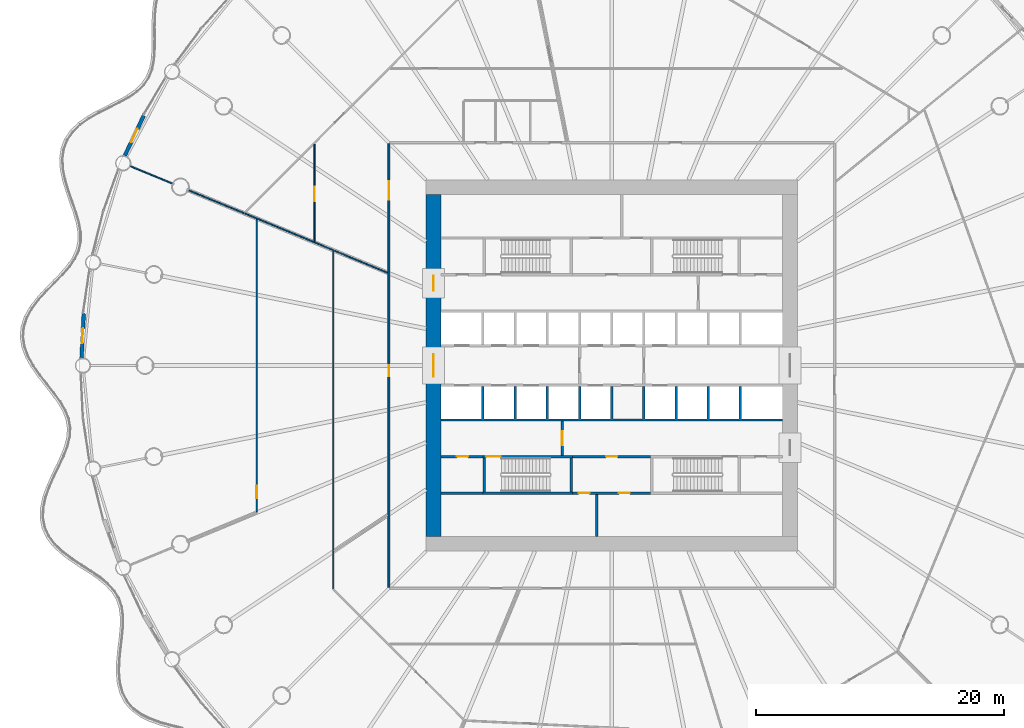
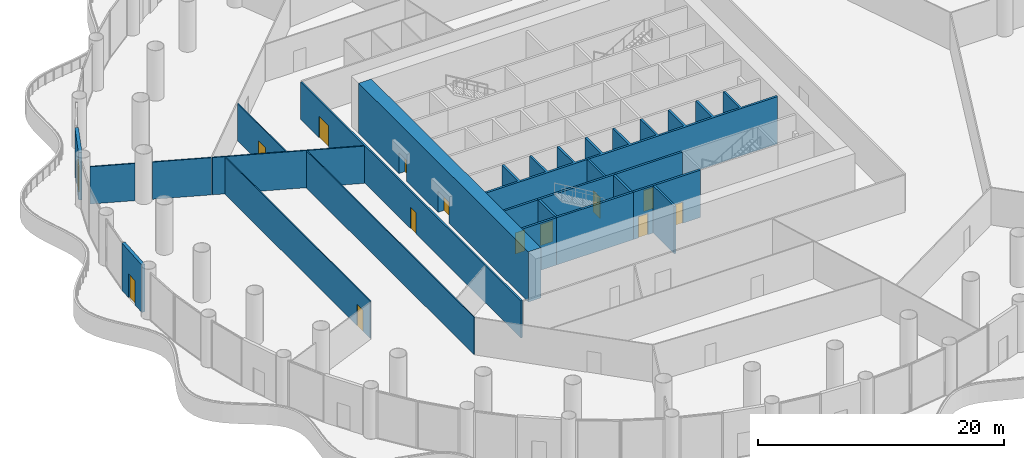
# One storey, part 23 of 35: 21 walls, 14 doors, 14 openings.
"""IFC4 building model written with IfcOpenShell, lengths in metres."""

from ifc_helpers import new_model, si_unit, direction, frame, frame_2d, origin, place, context, subcontext, project, spatial, polyline, rectangle, outline, extrude, material, layer, layer_set, type_object, element, fill, save


model = new_model("IFC4")

# Units and contexts
model_context = context("Model", 3, precision=1e-05, world=origin(), true_north=direction((0.0, 1.0)))
body_context = subcontext(model_context, "Body", "Model", "MODEL_VIEW")
ifc_project = project(units=[si_unit("LENGTHUNIT", "METRE"), si_unit("AREAUNIT", "SQUARE_METRE"), si_unit("VOLUMEUNIT", "CUBIC_METRE"), si_unit("PLANEANGLEUNIT", "RADIAN"), si_unit("MASSUNIT", "GRAM", prefix="KILO")], contexts=[model_context])

# Site, building, storey
site_placement = place(None, origin())
site = spatial("IfcSite", under=ifc_project, at=site_placement, CompositionType="ELEMENT")
building_placement = place(site_placement, origin())
building = spatial("IfcBuilding", under=site, at=building_placement, Name="Corvane Civic Tower", CompositionType="ELEMENT")
storey_placement = place(building_placement, frame((0.0, 0.0, 27.0)))
storey = spatial("IfcBuildingStorey", under=building, at=storey_placement, Name="L05", CompositionType="ELEMENT", Elevation=27.0)

# Wall, openings, doors
ifc_material_1 = material(Name="Concrete C80/95", Category="concrete")
ifc_layer_1 = layer(ifc_material_1, 1.199951171875)
ifc_layer_set_1 = layer_set([ifc_layer_1], Name="Concrete C80/95")
wall_type_1 = type_object("IfcWallType", Name="CORE WALL 1200 C80/95", PredefinedType="SHEAR", material=ifc_layer_set_1)
wall_1_placement = place(storey_placement, frame((-14.39990234375, -13.800048828125, 0.0), z_axis=(0.0, 0.0, 1.0), x_axis=(0.0, 1.0, 0.0)))
wall_1 = element("IfcWall", 1, at=wall_1_placement, inside=storey, type_object=wall_type_1, Name="W-L05-core-W", PredefinedType="SHEAR", context=body_context, shape_type="SweptSolid", body=[
    extrude(rectangle(XDim=27.60009765625, YDim=1.199951171875, at=frame_2d((13.800048828125, 0.0))), origin(), (0.0, 0.0, 1.0), 5.0),
])
opening_1_placement = place(wall_1_placement, frame((12.89990234375, 0.0, 0.0)))
opening_1 = element("IfcOpeningElement", 2, at=opening_1_placement, cuts=wall_1, Name="Opening L05.C20", PredefinedType="OPENING", context=body_context, shape_type="SweptSolid", body=[
    extrude(rectangle(XDim=1.800048828125, YDim=2.10009765625, at=frame_2d((0.89990234375, 1.050048828125))), frame((0.0, 0.60986328125, 0.0), z_axis=(0.0, -1.0, 0.0), x_axis=(1.0, 0.0, 0.0)), (0.0, 0.0, 1.0), 1.219970703125),
])
opening_2_placement = place(wall_1_placement, frame((19.85009765625, 0.0, 0.0)))
opening_2 = element("IfcOpeningElement", 3, at=opening_2_placement, cuts=wall_1, Name="Opening L05.C22", PredefinedType="OPENING", context=body_context, shape_type="SweptSolid", body=[
    extrude(rectangle(XDim=1.199951171875, YDim=2.10009765625, at=frame_2d((0.60009765625, 1.050048828125))), frame((0.0, 0.60986328125, 0.0), z_axis=(0.0, -1.0, 0.0), x_axis=(1.0, 0.0, 0.0)), (0.0, 0.0, 1.0), 1.219970703125),
])
ifc_material_2 = material(Name="Steel fire door leaf", Category="steel")
door_type_1 = type_object("IfcDoorType", Name="CR-DOOR-CORE-1800", OperationType="DOUBLE_DOOR_SINGLE_SWING", PredefinedType="DOOR", material=ifc_material_2)
door_1_placement = place(opening_1_placement, origin())
door_1 = element("IfcDoor", 4, at=door_1_placement, inside=storey, type_object=door_type_1, Name="L05 door", OperationType="DOUBLE_DOOR_SINGLE_SWING", OverallHeight=2.10009765625, OverallWidth=1.800048828125, PredefinedType="DOOR", context=body_context, shape_type="SweptSolid", body=[
    extrude(rectangle(XDim=1.800048828125, YDim=2.10009765625, at=frame_2d((0.89990234375, 1.050048828125))), frame((0.0, 0.02490234375, 0.0), z_axis=(0.0, -1.0, 0.0), x_axis=(1.0, 0.0, 0.0)), (0.0, 0.0, 1.0), 0.050048828125),
])
fill(opening_1, door_1)
door_2_placement = place(opening_2_placement, origin())
door_2 = element("IfcDoor", 5, at=door_2_placement, inside=storey, type_object=door_type_1, Name="L05 door", OperationType="DOUBLE_DOOR_SINGLE_SWING", OverallHeight=2.10009765625, OverallWidth=1.199951171875, PredefinedType="DOOR", context=body_context, shape_type="SweptSolid", body=[
    extrude(rectangle(XDim=1.199951171875, YDim=2.10009765625, at=frame_2d((0.60009765625, 1.050048828125))), frame((0.0, 0.02490234375, 0.0), z_axis=(0.0, -1.0, 0.0), x_axis=(1.0, 0.0, 0.0)), (0.0, 0.0, 1.0), 0.050048828125),
])
fill(opening_2, door_2)

ifc_material_3 = material(Name="Concrete C30/37", Category="concrete")
ifc_layer_2 = layer(ifc_material_3, 0.199951171875)
ifc_layer_set_2 = layer_set([ifc_layer_2], Name="Concrete C30/37")
wall_type_2 = type_object("IfcWallType", Name="CR-WALL-200", PredefinedType="PARTITIONING", material=ifc_layer_set_2)
wall_2_placement = place(storey_placement, frame((-3.14990234375, -10.300048828125, 0.0), z_axis=(0.0, 0.0, 1.0), x_axis=(1.0, 0.0, 0.0)))
wall_2 = element("IfcWall", 6, at=wall_2_placement, inside=storey, type_object=wall_type_2, Name="L05 partition wall", PredefinedType="PARTITIONING", context=body_context, shape_type="SweptSolid", body=[
    extrude(rectangle(XDim=6.2998046875, YDim=0.199951171875, at=frame_2d((3.14990234375, 0.0))), origin(), (0.0, 0.0, 1.0), 4.699951171875),
])
opening_3_placement = place(wall_2_placement, frame((0.47509765625, 0.0, 0.0)))
opening_3 = element("IfcOpeningElement", 7, at=opening_3_placement, cuts=wall_2, Name="Opening L05.C06", PredefinedType="OPENING", context=body_context, shape_type="SweptSolid", body=[
    extrude(rectangle(XDim=0.89990234375, YDim=2.10009765625, at=frame_2d((0.449951171875, 1.050048828125))), frame((0.0, 0.10986328125, 0.0), z_axis=(0.0, -1.0, 0.0), x_axis=(1.0, 0.0, 0.0)), (0.0, 0.0, 1.0), 0.219970703125),
])
opening_4_placement = place(wall_2_placement, frame((3.72509765625, 0.0, 0.0)))
opening_4 = element("IfcOpeningElement", 8, at=opening_4_placement, cuts=wall_2, Name="Opening L05.C07", PredefinedType="OPENING", context=body_context, shape_type="SweptSolid", body=[
    extrude(rectangle(XDim=0.89990234375, YDim=2.10009765625, at=frame_2d((0.449951171875, 1.050048828125))), frame((0.0, 0.10986328125, 0.0), z_axis=(0.0, -1.0, 0.0), x_axis=(1.0, 0.0, 0.0)), (0.0, 0.0, 1.0), 0.219970703125),
])
ifc_material_4 = material(Name="Steel fire door leaf", Category="steel")
door_type_2 = type_object("IfcDoorType", Name="CR-DOOR-900", OperationType="SINGLE_SWING_LEFT", PredefinedType="DOOR", material=ifc_material_4)
door_3_placement = place(opening_3_placement, origin())
door_3 = element("IfcDoor", 9, at=door_3_placement, inside=storey, type_object=door_type_2, Name="L05 door", OperationType="SINGLE_SWING_LEFT", OverallHeight=2.10009765625, OverallWidth=0.89990234375, PredefinedType="DOOR", context=body_context, shape_type="SweptSolid", body=[
    extrude(rectangle(XDim=0.89990234375, YDim=2.10009765625, at=frame_2d((0.449951171875, 1.050048828125))), frame((0.0, 0.02490234375, 0.0), z_axis=(0.0, -1.0, 0.0), x_axis=(1.0, 0.0, 0.0)), (0.0, 0.0, 1.0), 0.050048828125),
])
fill(opening_3, door_3)
door_4_placement = place(opening_4_placement, origin())
door_4 = element("IfcDoor", 10, at=door_4_placement, inside=storey, type_object=door_type_2, Name="L05 door", OperationType="SINGLE_SWING_LEFT", OverallHeight=2.10009765625, OverallWidth=0.89990234375, PredefinedType="DOOR", context=body_context, shape_type="SweptSolid", body=[
    extrude(rectangle(XDim=0.89990234375, YDim=2.10009765625, at=frame_2d((0.449951171875, 1.050048828125))), frame((0.0, 0.02490234375, 0.0), z_axis=(0.0, -1.0, 0.0), x_axis=(1.0, 0.0, 0.0)), (0.0, 0.0, 1.0), 0.050048828125),
])
fill(opening_4, door_4)

# Wall, opening, door
wall_3_placement = place(storey_placement, frame((-13.800048828125, -7.35009765625, 0.0), z_axis=(0.0, 0.0, 1.0), x_axis=(1.0, 0.0, 0.0)))
wall_3 = element("IfcWall", 11, at=wall_3_placement, inside=storey, type_object=wall_type_2, Name="L05 core partition wall", PredefinedType="PARTITIONING", context=body_context, shape_type="SweptSolid", body=[
    extrude(rectangle(XDim=3.400146484375, YDim=0.199951171875, at=frame_2d((1.7001953125, 0.0))), origin(), (0.0, 0.0, 1.0), 4.699951171875),
])
opening_5_placement = place(wall_3_placement, frame((1.300048828125, 0.0, 0.0)))
opening_5 = element("IfcOpeningElement", 12, at=opening_5_placement, cuts=wall_3, Name="Opening L05.C09", PredefinedType="OPENING", context=body_context, shape_type="SweptSolid", body=[
    extrude(rectangle(XDim=0.89990234375, YDim=2.10009765625, at=frame_2d((0.449951171875, 1.050048828125))), frame((0.0, 0.10986328125, 0.0), z_axis=(0.0, -1.0, 0.0), x_axis=(1.0, 0.0, 0.0)), (0.0, 0.0, 1.0), 0.219970703125),
])
door_5_placement = place(opening_5_placement, origin())
door_5 = element("IfcDoor", 13, at=door_5_placement, inside=storey, type_object=door_type_2, Name="L05 door", OperationType="SINGLE_SWING_LEFT", OverallHeight=2.10009765625, OverallWidth=0.89990234375, PredefinedType="DOOR", context=body_context, shape_type="SweptSolid", body=[
    extrude(rectangle(XDim=0.89990234375, YDim=2.10009765625, at=frame_2d((0.449951171875, 1.050048828125))), frame((0.0, 0.02490234375, 0.0), z_axis=(0.0, -1.0, 0.0), x_axis=(1.0, 0.0, 0.0)), (0.0, 0.0, 1.0), 0.050048828125),
])
fill(opening_5, door_5)

wall_4_placement = place(storey_placement, frame((-3.14990234375, -7.35009765625, 0.0), z_axis=(0.0, 0.0, 1.0), x_axis=(1.0, 0.0, 0.0)))
wall_4 = element("IfcWall", 14, at=wall_4_placement, inside=storey, type_object=wall_type_2, Name="L05 core partition wall", PredefinedType="PARTITIONING", context=body_context, shape_type="SweptSolid", body=[
    extrude(rectangle(XDim=6.2998046875, YDim=0.199951171875, at=frame_2d((3.14990234375, 0.0))), origin(), (0.0, 0.0, 1.0), 4.699951171875),
])
opening_6_placement = place(wall_4_placement, frame((2.699951171875, 0.0, 0.0)))
opening_6 = element("IfcOpeningElement", 15, at=opening_6_placement, cuts=wall_4, Name="Opening L05.C03", PredefinedType="OPENING", context=body_context, shape_type="SweptSolid", body=[
    extrude(rectangle(XDim=0.89990234375, YDim=2.10009765625, at=frame_2d((0.449951171875, 1.050048828125))), frame((0.0, 0.10986328125, 0.0), z_axis=(0.0, -1.0, 0.0), x_axis=(1.0, 0.0, 0.0)), (0.0, 0.0, 1.0), 0.219970703125),
])
door_6_placement = place(opening_6_placement, origin())
door_6 = element("IfcDoor", 16, at=door_6_placement, inside=storey, type_object=door_type_2, Name="L05 door", OperationType="SINGLE_SWING_LEFT", OverallHeight=2.10009765625, OverallWidth=0.89990234375, PredefinedType="DOOR", context=body_context, shape_type="SweptSolid", body=[
    extrude(rectangle(XDim=0.89990234375, YDim=2.10009765625, at=frame_2d((0.449951171875, 1.050048828125))), frame((0.0, 0.02490234375, 0.0), z_axis=(0.0, -1.0, 0.0), x_axis=(1.0, 0.0, 0.0)), (0.0, 0.0, 1.0), 0.050048828125),
])
fill(opening_6, door_6)

wall_5_placement = place(storey_placement, frame((-4.0, -7.25, 0.0), z_axis=(0.0, 0.0, 1.0), x_axis=(0.0, 1.0, 0.0)))
wall_5 = element("IfcWall", 17, at=wall_5_placement, inside=storey, type_object=wall_type_2, Name="L05 core partition wall", PredefinedType="PARTITIONING", context=body_context, shape_type="SweptSolid", body=[
    extrude(rectangle(XDim=2.75, YDim=0.199951171875, at=frame_2d((1.375, 0.0))), origin(), (0.0, 0.0, 1.0), 4.699951171875),
])
opening_7_placement = place(wall_5_placement, frame((0.824951171875, 0.0, 0.0)))
opening_7 = element("IfcOpeningElement", 18, at=opening_7_placement, cuts=wall_5, Name="Opening L05.C19", PredefinedType="OPENING", context=body_context, shape_type="SweptSolid", body=[
    extrude(rectangle(XDim=1.10009765625, YDim=2.10009765625, at=frame_2d((0.550048828125, 1.050048828125))), frame((0.0, 0.10986328125, 0.0), z_axis=(0.0, -1.0, 0.0), x_axis=(1.0, 0.0, 0.0)), (0.0, 0.0, 1.0), 0.219970703125),
])
ifc_material_5 = material(Name="Steel fire door leaf", Category="steel")
door_type_3 = type_object("IfcDoorType", Name="CR-DOOR-FFL-1100", OperationType="SINGLE_SWING_LEFT", PredefinedType="DOOR", material=ifc_material_5)
door_7_placement = place(opening_7_placement, origin())
door_7 = element("IfcDoor", 19, at=door_7_placement, inside=storey, type_object=door_type_3, Name="L05 lobby door", OperationType="SINGLE_SWING_LEFT", OverallHeight=2.10009765625, OverallWidth=1.10009765625, PredefinedType="DOOR", context=body_context, shape_type="SweptSolid", body=[
    extrude(rectangle(XDim=1.10009765625, YDim=2.10009765625, at=frame_2d((0.550048828125, 1.050048828125))), frame((0.0, 0.02490234375, 0.0), z_axis=(0.0, -1.0, 0.0), x_axis=(1.0, 0.0, 0.0)), (0.0, 0.0, 1.0), 0.050048828125),
])
fill(opening_7, door_7)

# Walls
wall_6_placement = place(storey_placement, origin())
element("IfcWall", 20, at=wall_6_placement, inside=storey, type_object=wall_type_2, Name="L05 core partition wall", PredefinedType="PARTITIONING", context=body_context, shape_type="SweptSolid", body=[
    extrude(outline(polyline([(-10.39990234375, -10.39990234375), (-13.800048828125, -10.39990234375), (-13.800048828125, -10.199951171875), (-10.39990234375, -10.199951171875), (-10.39990234375, -10.39990234375)])), origin(), (0.0, 0.0, 1.0), 4.699951171875),
])
wall_7_placement = place(storey_placement, origin())
element("IfcWall", 21, at=wall_7_placement, inside=storey, type_object=wall_type_2, Name="L05 core partition wall", PredefinedType="PARTITIONING", context=body_context, shape_type="SweptSolid", body=[
    extrude(outline(polyline([(-1.10009765625, -10.39990234375), (-1.10009765625, -13.800048828125), (-1.300048828125, -13.800048828125), (-1.300048828125, -10.39990234375), (-1.10009765625, -10.39990234375)])), origin(), (0.0, 0.0, 1.0), 4.699951171875),
])
wall_8_placement = place(storey_placement, origin())
element("IfcWall", 22, at=wall_8_placement, inside=storey, type_object=wall_type_2, Name="L05 core partition wall", PredefinedType="PARTITIONING", context=body_context, shape_type="SweptSolid", body=[
    extrude(outline(polyline([(-10.5, -1.699951171875), (-10.300048828125, -1.699951171875), (-10.300048828125, -4.300048828125), (-7.89990234375, -4.300048828125), (-7.89990234375, -1.699951171875), (-7.699951171875, -1.699951171875), (-7.699951171875, -4.300048828125), (-5.300048828125, -4.300048828125), (-5.300048828125, -1.699951171875), (-5.10009765625, -1.699951171875), (-5.10009765625, -4.300048828125), (-2.699951171875, -4.300048828125), (-2.699951171875, -1.699951171875), (-2.5, -1.699951171875), (-2.5, -4.300048828125), (-0.10009765625, -4.300048828125), (-0.10009765625, -1.699951171875), (0.10009765625, -1.699951171875), (0.10009765625, -4.300048828125), (2.5, -4.300048828125), (2.5, -1.699951171875), (2.699951171875, -1.699951171875), (2.699951171875, -4.300048828125), (5.10009765625, -4.300048828125), (5.10009765625, -1.699951171875), (5.300048828125, -1.699951171875), (5.300048828125, -4.300048828125), (7.699951171875, -4.300048828125), (7.699951171875, -1.699951171875), (7.89990234375, -1.699951171875), (7.89990234375, -4.300048828125), (10.300048828125, -4.300048828125), (10.300048828125, -1.699951171875), (10.5, -1.699951171875), (10.5, -4.300048828125), (13.800048828125, -4.300048828125), (13.800048828125, -4.5), (-13.800048828125, -4.5), (-13.800048828125, -4.300048828125), (-10.5, -4.300048828125), (-10.5, -1.699951171875)])), origin(), (0.0, 0.0, 1.0), 4.699951171875),
])

# Wall, opening, door
ifc_material_6 = material(Name="Terracotta cladding", Category="masonry")
ifc_layer_3 = layer(ifc_material_6, 0.300048828125)
ifc_layer_set_3 = layer_set([ifc_layer_3], Name="Terracotta cladding")
wall_type_3 = type_object("IfcWallType", Name="PODIUM-W-DRUMDOOR-300", PredefinedType="SOLIDWALL", material=ifc_layer_set_3)
wall_9_placement = place(storey_placement, frame((-42.81884765625, 0.6318359375, 0.0), z_axis=(0.0, 0.0, 1.0), x_axis=(0.049103014495, 0.998793719427, 0.0)))
wall_9 = element("IfcWall", 23, at=wall_9_placement, inside=storey, type_object=wall_type_3, Name="L05 drum door bay wall 25", PredefinedType="SOLIDWALL", context=body_context, shape_type="SweptSolid", body=[
    extrude(rectangle(XDim=3.56005859375, YDim=0.300048828125, at=frame_2d((1.780029296875, 0.0))), origin(), (0.0, 0.0, 1.0), 4.699951171875),
])
opening_8_placement = place(wall_9_placement, frame((1.179931640625, 0.0, 0.0)))
opening_8 = element("IfcOpeningElement", 24, at=opening_8_placement, cuts=wall_9, Name="Opening ED-L05-25", PredefinedType="OPENING", context=body_context, shape_type="SweptSolid", body=[
    extrude(rectangle(XDim=1.199951171875, YDim=2.39990234375, at=frame_2d((0.60009765625, 1.199951171875))), frame((0.0, 0.159912109375, 0.0), z_axis=(0.0, -1.0, 0.0), x_axis=(1.0, 0.0, 0.0)), (0.0, 0.0, 1.0), 0.320068359375),
])
ifc_material_7 = material(Name="Anodised aluminium and glass", Category="aluminium")
door_type_4 = type_object("IfcDoorType", Name="PODIUM-D-BALCONY-1200", OperationType="SINGLE_SWING_LEFT", PredefinedType="DOOR", material=ifc_material_7)
door_8_placement = place(opening_8_placement, origin())
door_8 = element("IfcDoor", 25, at=door_8_placement, inside=storey, type_object=door_type_4, Name="L05 balcony door 25", OperationType="SINGLE_SWING_LEFT", OverallHeight=2.39990234375, OverallWidth=1.199951171875, PredefinedType="DOOR", context=body_context, shape_type="SweptSolid", body=[
    extrude(rectangle(XDim=1.199951171875, YDim=2.39990234375, at=frame_2d((0.60009765625, 1.199951171875))), frame((0.0, 0.02490234375, 0.0), z_axis=(0.0, -1.0, 0.0), x_axis=(1.0, 0.0, 0.0)), (0.0, 0.0, 1.0), 0.050048828125),
])
fill(opening_8, door_8)

wall_10_placement = place(storey_placement, frame((-39.317626953125, 16.9697265625, 0.0), z_axis=(0.0, 0.0, 1.0), x_axis=(0.427546758778, 0.903993235074, 0.0)))
wall_10 = element("IfcWall", 26, at=wall_10_placement, inside=storey, type_object=wall_type_3, Name="L05 drum door bay wall 27", PredefinedType="SOLIDWALL", context=body_context, shape_type="SweptSolid", body=[
    extrude(rectangle(XDim=3.559814453125, YDim=0.300048828125, at=frame_2d((1.77978515625, 0.0))), origin(), (0.0, 0.0, 1.0), 4.699951171875),
])
opening_9_placement = place(wall_10_placement, frame((1.179931640625, 0.0, 0.0)))
opening_9 = element("IfcOpeningElement", 27, at=opening_9_placement, cuts=wall_10, Name="Opening ED-L05-27", PredefinedType="OPENING", context=body_context, shape_type="SweptSolid", body=[
    extrude(rectangle(XDim=1.199951171875, YDim=2.39990234375, at=frame_2d((0.60009765625, 1.199951171875))), frame((0.0, 0.159912109375, 0.0), z_axis=(0.0, -1.0, 0.0), x_axis=(1.0, 0.0, 0.0)), (0.0, 0.0, 1.0), 0.320068359375),
])
door_9_placement = place(opening_9_placement, origin())
door_9 = element("IfcDoor", 28, at=door_9_placement, inside=storey, type_object=door_type_4, Name="L05 balcony door 27", OperationType="SINGLE_SWING_LEFT", OverallHeight=2.39990234375, OverallWidth=1.199951171875, PredefinedType="DOOR", context=body_context, shape_type="SweptSolid", body=[
    extrude(rectangle(XDim=1.199951171875, YDim=2.39990234375, at=frame_2d((0.60009765625, 1.199951171875))), frame((0.0, 0.02490234375, 0.0), z_axis=(0.0, -1.0, 0.0), x_axis=(1.0, 0.0, 0.0)), (0.0, 0.0, 1.0), 0.050048828125),
])
fill(opening_9, door_9)

# Wall
ifc_material_8 = material(Name="Plasterboard")
ifc_layer_4 = layer(ifc_material_8, 0.10009765625)
ifc_layer_set_4 = layer_set([ifc_layer_4], Name="Plasterboard")
wall_type_4 = type_object("IfcWallType", Name="Partition 100 plasterboard on studs", PredefinedType="PARTITIONING", material=ifc_layer_set_4)
wall_11_placement = place(storey_placement, frame((-22.5, -18.029541015625, 0.0), z_axis=(0.0, 0.0, 1.0), x_axis=(0.0, 1.0, 0.0)))
element("IfcWall", 29, at=wall_11_placement, inside=storey, type_object=wall_type_4, Name="Partition L05.012", PredefinedType="PARTITIONING", context=body_context, shape_type="SweptSolid", body=[
    extrude(rectangle(XDim=27.274658203125, YDim=0.10009765625, at=frame_2d((13.63720703125, 0.0))), origin(), (0.0, 0.0, 1.0), 3.699951171875),
])

# Wall, opening, door
wall_12_placement = place(storey_placement, frame((-28.67333984375, -11.843505859375, 0.0), z_axis=(0.0, 0.0, 1.0), x_axis=(0.0, 1.0, 0.0)))
wall_12 = element("IfcWall", 30, at=wall_12_placement, inside=storey, type_object=wall_type_4, Name="Partition L05.019", PredefinedType="PARTITIONING", context=body_context, shape_type="SweptSolid", body=[
    extrude(rectangle(XDim=23.6455078125, YDim=0.10009765625, at=frame_2d((11.82275390625, 0.0))), origin(), (0.0, 0.0, 1.0), 3.699951171875),
])
opening_10_placement = place(wall_12_placement, frame((1.133544921875, 0.0, 0.0)))
opening_10 = element("IfcOpeningElement", 31, at=opening_10_placement, cuts=wall_12, Name="Opening L05.017", PredefinedType="OPENING", context=body_context, shape_type="SweptSolid", body=[
    extrude(rectangle(XDim=1.0, YDim=2.10009765625, at=frame_2d((0.5, 1.050048828125))), frame((0.0, 0.06005859375, 0.0), z_axis=(0.0, -1.0, 0.0), x_axis=(1.0, 0.0, 0.0)), (0.0, 0.0, 1.0), 0.1201171875),
])
ifc_material_9 = material(Name="Timber", Category="wood")
door_type_5 = type_object("IfcDoorType", Name="Single door 1000", OperationType="NOTDEFINED", PredefinedType="DOOR", material=ifc_material_9)
door_10_placement = place(opening_10_placement, frame((1.0, 0.0, 0.0), z_axis=(0.0, 0.0, 1.0), x_axis=(-1.0, 0.0, 0.0)))
door_10 = element("IfcDoor", 32, at=door_10_placement, inside=storey, type_object=door_type_5, Name="Door L05.017", OperationType="SINGLE_SWING_RIGHT", OverallHeight=2.10009765625, OverallWidth=1.0, PredefinedType="DOOR", context=body_context, shape_type="SweptSolid", body=[
    extrude(rectangle(XDim=1.0, YDim=2.10009765625, at=frame_2d((0.5, 1.050048828125))), frame((0.0, 0.02490234375, 0.0), z_axis=(0.0, -1.0, 0.0), x_axis=(1.0, 0.0, 0.0)), (0.0, 0.0, 1.0), 0.050048828125),
])
fill(opening_10, door_10)

# Wall
wall_13_placement = place(storey_placement, frame((-29.631103515625, 12.273681640625, 0.0), z_axis=(0.0, 0.0, 1.0), x_axis=(0.92388005855, -0.382682162393, 0.0)))
element("IfcWall", 33, at=wall_13_placement, inside=storey, type_object=wall_type_4, Name="Partition L05.023", PredefinedType="PARTITIONING", context=body_context, shape_type="SweptSolid", body=[
    extrude(rectangle(XDim=12.487548828125, YDim=0.10009765625, at=frame_2d((6.24365234375, 0.0))), origin(), (0.0, 0.0, 1.0), 3.699951171875),
])

# Wall, opening, door
wall_14_placement = place(storey_placement, frame((-24.0, 10.01611328125, 0.0), z_axis=(0.0, 0.0, 1.0), x_axis=(0.0, 1.0, 0.0)))
wall_14 = element("IfcWall", 34, at=wall_14_placement, inside=storey, type_object=wall_type_4, Name="Partition L05.024", PredefinedType="PARTITIONING", context=body_context, shape_type="SweptSolid", body=[
    extrude(rectangle(XDim=7.852294921875, YDim=0.10009765625, at=frame_2d((3.92626953125, 0.0))), origin(), (0.0, 0.0, 1.0), 3.699951171875),
])
opening_11_placement = place(wall_14_placement, frame((3.23681640625, 0.0, 0.0)))
opening_11 = element("IfcOpeningElement", 35, at=opening_11_placement, cuts=wall_14, Name="Opening L05.004", PredefinedType="OPENING", context=body_context, shape_type="SweptSolid", body=[
    extrude(rectangle(XDim=1.199951171875, YDim=2.10009765625, at=frame_2d((0.60009765625, 1.050048828125))), frame((0.0, 0.06005859375, 0.0), z_axis=(0.0, -1.0, 0.0), x_axis=(1.0, 0.0, 0.0)), (0.0, 0.0, 1.0), 0.1201171875),
])
ifc_material_10 = material(Name="Timber", Category="wood")
door_type_6 = type_object("IfcDoorType", Name="Double door 1200", OperationType="NOTDEFINED", PredefinedType="DOOR", material=ifc_material_10)
door_11_placement = place(opening_11_placement, origin())
door_11 = element("IfcDoor", 36, at=door_11_placement, inside=storey, type_object=door_type_6, Name="Door L05.004", OperationType="DOUBLE_DOOR_SINGLE_SWING", OverallHeight=2.10009765625, OverallWidth=1.199951171875, PredefinedType="DOOR", context=body_context, shape_type="SweptSolid", body=[
    extrude(rectangle(XDim=1.199951171875, YDim=2.10009765625, at=frame_2d((0.60009765625, 1.050048828125))), frame((0.0, 0.02490234375, 0.0), z_axis=(0.0, -1.0, 0.0), x_axis=(1.0, 0.0, 0.0)), (0.0, 0.0, 1.0), 0.050048828125),
])
fill(opening_11, door_11)

# Walls
wall_15_placement = place(storey_placement, frame((-34.17431640625, 14.155517578125, 0.0), z_axis=(0.0, 0.0, 1.0), x_axis=(0.923861580597, -0.382726769246, 0.0)))
element("IfcWall", 37, at=wall_15_placement, inside=storey, type_object=wall_type_4, Name="Partition L05.025", PredefinedType="PARTITIONING", context=body_context, shape_type="SweptSolid", body=[
    extrude(rectangle(XDim=4.830078125, YDim=0.10009765625, at=frame_2d((2.4150390625, 0.0))), origin(), (0.0, 0.0, 1.0), 3.699951171875),
])
wall_16_placement = place(storey_placement, frame((-38.88623046875, 16.107177734375, 0.0), z_axis=(0.0, 0.0, 1.0), x_axis=(0.92386400613, -0.382720914215, 0.0)))
element("IfcWall", 38, at=wall_16_placement, inside=storey, type_object=wall_type_4, Name="Partition L05.027", PredefinedType="PARTITIONING", context=body_context, shape_type="SweptSolid", body=[
    extrude(rectangle(XDim=3.68017578125, YDim=0.10009765625, at=frame_2d((1.840087890625, 0.0))), origin(), (0.0, 0.0, 1.0), 3.699951171875),
])

# Wall, opening, door
ifc_material_11 = material(Name="Concrete C50/60", Category="concrete")
ifc_layer_5 = layer(ifc_material_11, 0.199951171875)
ifc_layer_set_5 = layer_set([ifc_layer_5], Name="Concrete C50/60")
wall_type_5 = type_object("IfcWallType", Name="ST-WALL-200", PredefinedType="SHEAR", material=ifc_layer_set_5)
wall_17_placement = place(storey_placement, frame((-10.39990234375, -7.35009765625, 0.0), z_axis=(0.0, 0.0, 1.0), x_axis=(1.0, 0.0, 0.0)))
wall_17 = element("IfcWall", 39, at=wall_17_placement, inside=storey, type_object=wall_type_5, Name="L05 stair enclosure wall", PredefinedType="SHEAR", context=body_context, shape_type="SweptSolid", body=[
    extrude(rectangle(XDim=7.25, YDim=0.199951171875, at=frame_2d((3.625, 0.0))), origin(), (0.0, 0.0, 1.0), 4.699951171875),
])
opening_12_placement = place(wall_17_placement, frame((0.25, 0.0, 0.0)))
opening_12 = element("IfcOpeningElement", 40, at=opening_12_placement, cuts=wall_17, Name="Opening L05.C15", PredefinedType="OPENING", context=body_context, shape_type="SweptSolid", body=[
    extrude(rectangle(XDim=1.199951171875, YDim=2.10009765625, at=frame_2d((0.60009765625, 1.050048828125))), frame((0.0, 0.10986328125, 0.0), z_axis=(0.0, -1.0, 0.0), x_axis=(1.0, 0.0, 0.0)), (0.0, 0.0, 1.0), 0.219970703125),
])
ifc_material_12 = material(Name="Steel fire door leaf", Category="steel")
door_type_7 = type_object("IfcDoorType", Name="ST-DOOR-1200", OperationType="SINGLE_SWING_RIGHT", PredefinedType="DOOR", material=ifc_material_12)
door_12_placement = place(opening_12_placement, origin())
door_12 = element("IfcDoor", 41, at=door_12_placement, inside=storey, type_object=door_type_7, Name="L05 stair door", OperationType="SINGLE_SWING_RIGHT", OverallHeight=2.10009765625, OverallWidth=1.199951171875, PredefinedType="DOOR", context=body_context, shape_type="SweptSolid", body=[
    extrude(rectangle(XDim=1.199951171875, YDim=2.10009765625, at=frame_2d((0.60009765625, 1.050048828125))), frame((0.0, 0.02490234375, 0.0), z_axis=(0.0, -1.0, 0.0), x_axis=(1.0, 0.0, 0.0)), (0.0, 0.0, 1.0), 0.050048828125),
])
fill(opening_12, door_12)

# Walls
wall_18_placement = place(storey_placement, origin())
element("IfcWall", 42, at=wall_18_placement, inside=storey, type_object=wall_type_5, Name="L05 stair enclosure wall", PredefinedType="SHEAR", context=body_context, shape_type="SweptSolid", body=[
    extrude(outline(polyline([(-3.14990234375, -10.199951171875), (-3.14990234375, -10.39990234375), (-10.39990234375, -10.39990234375), (-10.39990234375, -10.199951171875), (-3.14990234375, -10.199951171875)])), origin(), (0.0, 0.0, 1.0), 4.699951171875),
])
wall_19_placement = place(storey_placement, origin())
element("IfcWall", 43, at=wall_19_placement, inside=storey, type_object=wall_type_5, Name="L05 stair enclosure wall", PredefinedType="SHEAR", context=body_context, shape_type="SweptSolid", body=[
    extrude(outline(polyline([(-3.14990234375, -7.449951171875), (-3.14990234375, -10.199951171875), (-3.35009765625, -10.199951171875), (-3.35009765625, -7.449951171875), (-3.14990234375, -7.449951171875)])), origin(), (0.0, 0.0, 1.0), 4.699951171875),
])
wall_20_placement = place(storey_placement, origin())
element("IfcWall", 44, at=wall_20_placement, inside=storey, type_object=wall_type_5, Name="L05 stair enclosure wall", PredefinedType="SHEAR", context=body_context, shape_type="SweptSolid", body=[
    extrude(outline(polyline([(-10.199951171875, -7.449951171875), (-10.199951171875, -10.199951171875), (-10.39990234375, -10.199951171875), (-10.39990234375, -7.449951171875), (-10.199951171875, -7.449951171875)])), origin(), (0.0, 0.0, 1.0), 4.699951171875),
])

# Wall, openings, doors
ifc_material_13 = material(Name="Plasterboard")
ifc_layer_6 = layer(ifc_material_13, 0.14990234375)
ifc_layer_set_6 = layer_set([ifc_layer_6], Name="Plasterboard")
wall_type_6 = type_object("IfcWallType", Name="Tenancy wall 150 EI 60", PredefinedType="PARTITIONING", material=ifc_layer_set_6)
wall_21_placement = place(storey_placement, frame((-18.0, -17.925048828125, 0.0), z_axis=(0.0, 0.0, 1.0), x_axis=(0.0, 1.0, 0.0)))
wall_21 = element("IfcWall", 45, at=wall_21_placement, inside=storey, type_object=wall_type_6, Name="Partition L05.014", PredefinedType="PARTITIONING", context=body_context, shape_type="SweptSolid", body=[
    extrude(rectangle(XDim=35.85009765625, YDim=0.14990234375, at=frame_2d((17.925048828125, 0.0))), origin(), (0.0, 0.0, 1.0), 3.699951171875),
])
opening_13_placement = place(wall_21_placement, frame((31.32666015625, 0.0, 0.0)))
opening_13 = element("IfcOpeningElement", 46, at=opening_13_placement, cuts=wall_21, Name="Opening L05.007", PredefinedType="OPENING", context=body_context, shape_type="SweptSolid", body=[
    extrude(rectangle(XDim=1.5, YDim=2.10009765625, at=frame_2d((0.75, 1.050048828125))), frame((0.0, 0.0849609375, 0.0), z_axis=(0.0, -1.0, 0.0), x_axis=(1.0, 0.0, 0.0)), (0.0, 0.0, 1.0), 0.169921875),
])
opening_14_placement = place(wall_21_placement, frame((17.061279296875, 0.0, 0.0)))
opening_14 = element("IfcOpeningElement", 47, at=opening_14_placement, cuts=wall_21, Name="Opening L05.022", PredefinedType="OPENING", context=body_context, shape_type="SweptSolid", body=[
    extrude(rectangle(XDim=0.89990234375, YDim=2.10009765625, at=frame_2d((0.449951171875, 1.050048828125))), frame((0.0, 0.0849609375, 0.0), z_axis=(0.0, -1.0, 0.0), x_axis=(1.0, 0.0, 0.0)), (0.0, 0.0, 1.0), 0.169921875),
])
ifc_material_14 = material(Name="Steel and timber", Category="steel")
door_type_8 = type_object("IfcDoorType", Name="Fire door FD30S 900", OperationType="NOTDEFINED", PredefinedType="DOOR", material=ifc_material_14)
door_13_placement = place(opening_14_placement, origin())
door_13 = element("IfcDoor", 48, at=door_13_placement, inside=storey, type_object=door_type_8, Name="Door L05.022", OperationType="SINGLE_SWING_LEFT", OverallHeight=2.10009765625, OverallWidth=0.89990234375, PredefinedType="DOOR", context=body_context, shape_type="SweptSolid", body=[
    extrude(rectangle(XDim=0.89990234375, YDim=2.10009765625, at=frame_2d((0.449951171875, 1.050048828125))), frame((0.0, 0.02490234375, 0.0), z_axis=(0.0, -1.0, 0.0), x_axis=(1.0, 0.0, 0.0)), (0.0, 0.0, 1.0), 0.050048828125),
])
fill(opening_14, door_13)
ifc_material_15 = material(Name="Steel and timber", Category="steel")
door_type_9 = type_object("IfcDoorType", Name="Fire door FD60 double 1500", OperationType="NOTDEFINED", PredefinedType="DOOR", material=ifc_material_15)
door_14_placement = place(opening_13_placement, origin())
door_14 = element("IfcDoor", 49, at=door_14_placement, inside=storey, type_object=door_type_9, Name="Door L05.007", OperationType="DOUBLE_DOOR_SINGLE_SWING", OverallHeight=2.10009765625, OverallWidth=1.5, PredefinedType="DOOR", context=body_context, shape_type="SweptSolid", body=[
    extrude(rectangle(XDim=1.5, YDim=2.10009765625, at=frame_2d((0.75, 1.050048828125))), frame((0.0, 0.02490234375, 0.0), z_axis=(0.0, -1.0, 0.0), x_axis=(1.0, 0.0, 0.0)), (0.0, 0.0, 1.0), 0.050048828125),
])
fill(opening_13, door_14)

save(model, "model.ifc")
